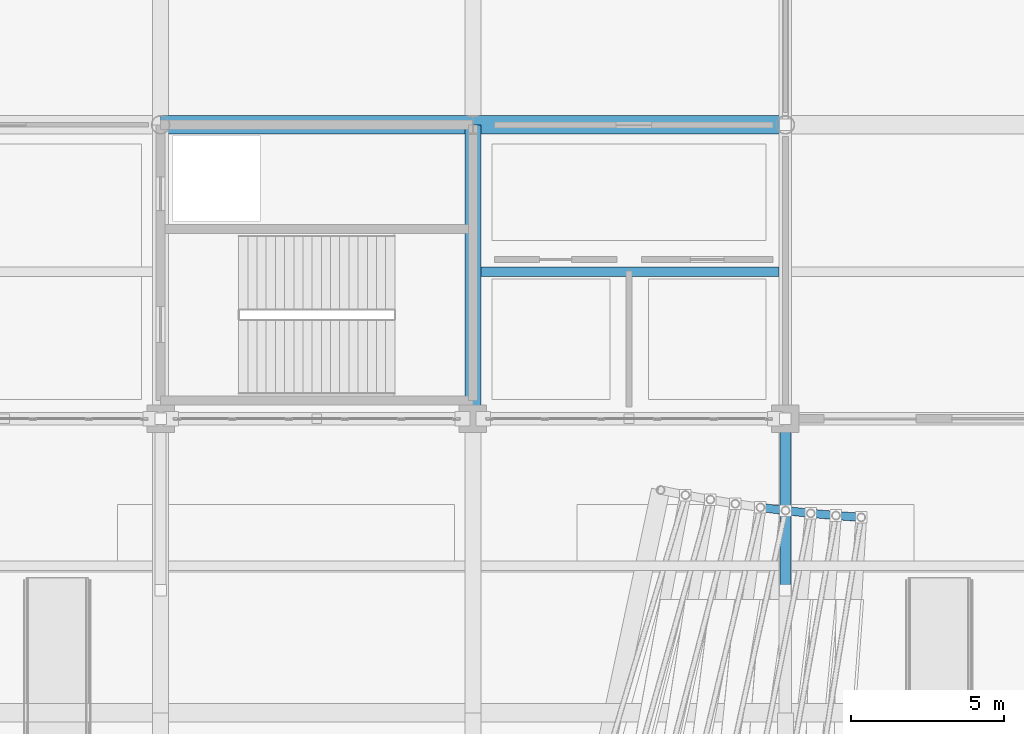
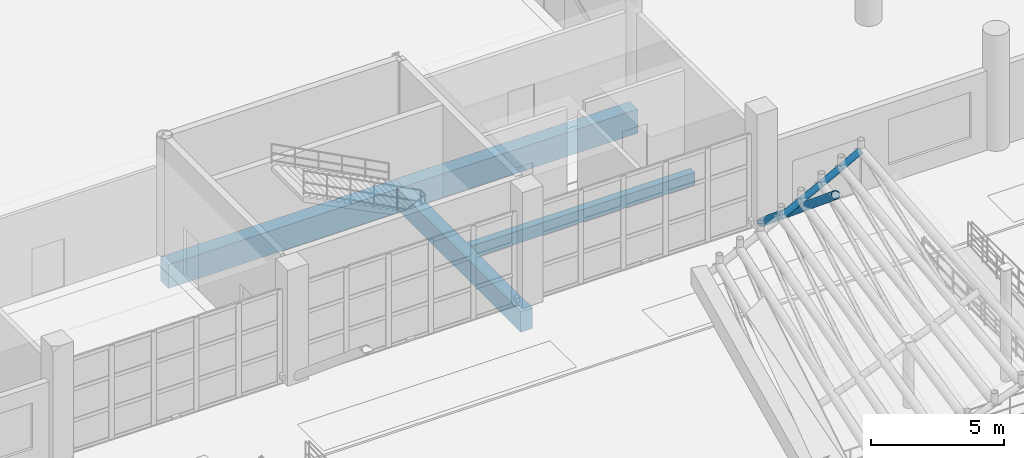
# One storey, part 51 of 124: 5 members, 4 beams.
"""IFC4 building model written with IfcOpenShell, lengths in metres."""

import ifcopenshell
import ifcopenshell.guid

model = None  # the IFC model being written
_history = None  # IfcOwnerHistory: only IFC2X3 demands one
_inside = {}  # id of a spatial element -> (the spatial element, [elements in it])
_under = {}  # id of a project, library or spatial element -> (it, [spatial elements below it])
_declared = {}  # id of a project -> (the project, [libraries it declares])
_typed = {}  # id of a type object -> (the type object, [elements of that type])
_made_of = {}  # id of a material, layer set ... -> (it, [elements and type objects made of it])


def new_model(schema):
    """Start an empty IFC model of exactly this schema.

    Asked for "IFC4X3", IfcOpenShell would pick the latest addendum, in which some entities
    have other attributes; the version numbers below select the first issue.
    IFC2X3 requires an IfcOwnerHistory on every rooted entity: one is made here for all.
    """
    global model, _history
    if schema == "IFC4X3":
        model = ifcopenshell.file(schema_version=(4, 3, 0, 0))
    else:
        model = ifcopenshell.file(schema=schema)
    _inside.clear()
    _under.clear()
    _declared.clear()
    _typed.clear()
    _made_of.clear()
    _history = None
    if model.schema == "IFC2X3":
        org = make("IfcOrganization", Name="unknown")
        user = make(
            "IfcPersonAndOrganization",
            ThePerson=make("IfcPerson", FamilyName="unknown"),
            TheOrganization=org,
        )
        app = make(
            "IfcApplication",
            ApplicationDeveloper=org,
            Version="unknown",
            ApplicationFullName="unknown",
            ApplicationIdentifier="unknown",
        )
        _history = make(
            "IfcOwnerHistory",
            OwningUser=user,
            OwningApplication=app,
            ChangeAction="ADDED",
            CreationDate=0,
        )
    return model


def make(cls, **values):
    """One entity of the class cls with the attributes given. An attribute that is None is left unset."""
    return model.create_entity(
        cls, **{name: value for name, value in values.items() if value is not None}
    )


def rooted(cls, **values):
    """An entity with a GlobalId (a new one), such as an element, a storey or a relation."""
    return make(cls, GlobalId=ifcopenshell.guid.new(), OwnerHistory=_history, **values)


def si_unit(unit_type, name, prefix=None):
    """IfcSIUnit, for example si_unit("LENGTHUNIT", "METRE", prefix="MILLI")."""
    return make("IfcSIUnit", UnitType=unit_type, Prefix=prefix, Name=name)


def assignment(units):
    """IfcUnitAssignment: the units of a project."""
    return None if units is None else make("IfcUnitAssignment", Units=units)


def point(xyz):
    """IfcCartesianPoint."""
    return None if xyz is None else make("IfcCartesianPoint", Coordinates=xyz)


def direction(xyz):
    """IfcDirection."""
    return None if xyz is None else make("IfcDirection", DirectionRatios=xyz)


def frame(location, z_axis=None, x_axis=None):
    """IfcAxis2Placement3D, a coordinate frame: its origin and axes. An axis left out is left unset."""
    return make(
        "IfcAxis2Placement3D",
        Location=point(location),
        Axis=direction(z_axis),
        RefDirection=direction(x_axis),
    )


def frame_2d(location, x_axis=None):
    """IfcAxis2Placement2D, a coordinate frame in the plane: its origin and x axis."""
    return make(
        "IfcAxis2Placement2D", Location=point(location), RefDirection=direction(x_axis)
    )


def origin():
    """The frame at (0, 0, 0) with its axes left unset."""
    return frame((0.0, 0.0, 0.0))


def origin_2d():
    """The frame at (0, 0) in the plane with its x axis left unset."""
    return frame_2d((0.0, 0.0))


def place(relative_to, where):
    """IfcLocalPlacement: puts the frame where relative to a parent placement (None: the world)."""
    return make(
        "IfcLocalPlacement", PlacementRelTo=relative_to, RelativePlacement=where
    )


def context(
    kind, dimensions, precision=None, world=None, true_north=None, identifier=None
):
    """IfcGeometricRepresentationContext, for example the 3D "Model" context."""
    return make(
        "IfcGeometricRepresentationContext",
        ContextIdentifier=identifier,
        ContextType=kind,
        CoordinateSpaceDimension=dimensions,
        Precision=precision,
        WorldCoordinateSystem=world,
        TrueNorth=true_north,
    )


def subcontext(parent, identifier, kind, view, scale=None):
    """IfcGeometricRepresentationSubContext, for example "Body" below "Model"."""
    return make(
        "IfcGeometricRepresentationSubContext",
        ContextIdentifier=identifier,
        ContextType=kind,
        ParentContext=parent,
        TargetScale=scale,
        TargetView=view,
    )


def project(units=None, contexts=None):
    """IfcProject with its units and contexts."""
    return rooted(
        "IfcProject",
        Name="project",
        RepresentationContexts=contexts,
        UnitsInContext=assignment(units),
    )


def spatial(cls, under=None, at=None, **own):
    """A site, building, storey or space (cls), placed at a placement, below another one or the project."""
    s = rooted(cls, ObjectPlacement=at, **own)
    if under is not None:
        _under.setdefault(under.id(), (under, []))[1].append(s)
    return s


def profile(cls, at=None, kind="AREA", **sizes):
    """A parametric profile (cls). Its sizes go by their IFC names, for example OverallWidth=200.0."""
    return make(cls, ProfileType=kind, Position=at, **sizes)


def rectangle(**sizes):
    """IfcRectangleProfileDef."""
    return profile("IfcRectangleProfileDef", **sizes)


def hollow_circle(**sizes):
    """IfcCircleHollowProfileDef."""
    return profile("IfcCircleHollowProfileDef", **sizes)


def extrude(swept, where, along, depth):
    """IfcExtrudedAreaSolid: the profile swept, set in the frame where, extruded along a direction by depth."""
    return make(
        "IfcExtrudedAreaSolid",
        SweptArea=swept,
        Position=where,
        ExtrudedDirection=direction(along),
        Depth=depth,
    )


def shape(context_of_items, identifier, shape_type, items):
    """IfcShapeRepresentation: the items that make up one representation, for example the "Body"."""
    return make(
        "IfcShapeRepresentation",
        ContextOfItems=context_of_items,
        RepresentationIdentifier=identifier,
        RepresentationType=shape_type,
        Items=items,
    )


def material(Name=None, Category=None):
    """IfcMaterial."""
    return make("IfcMaterial", Name=Name, Category=Category)


def material_profile(
    of_material, cross_section, Name=None, Category=None, Priority=None
):
    """IfcMaterialProfile: a cross section and its material."""
    return make(
        "IfcMaterialProfile",
        Name=Name,
        Material=of_material,
        Profile=cross_section,
        Priority=Priority,
        Category=Category,
    )


def profile_set(profiles, Name=None, composite=None):
    """IfcMaterialProfileSet."""
    return make(
        "IfcMaterialProfileSet",
        Name=Name,
        MaterialProfiles=profiles,
        CompositeProfile=composite,
    )


def made_of(thing, what):
    """Note that an element or type object is made of a material, layer set ...; save() writes the relation."""
    if what is not None:
        _made_of.setdefault(what.id(), (what, []))[1].append(thing)
    return thing


def type_object(cls, material=None, **own):
    """A type object (cls), such as IfcWallType, which elements share."""
    return made_of(rooted(cls, **own), material)


def element(
    cls,
    number,
    at=None,
    inside=None,
    cuts=None,
    type_object=None,
    material=None,
    context=None,
    identifier="Body",
    shape_type=None,
    held_by="IfcProductDefinitionShape",
    body=None,
    shapes=None,
    **own,
):
    """One element of the class cls, such as IfcWall. Its Tag is "e" and its number.

    at: its placement. inside: the storey or other place that contains it. cuts: it is an
    opening in that element (IfcRelVoidsElement). A single representation is given by context,
    identifier, shape_type and body (its items); several are given by shapes. held_by: the class
    of the entity that holds the representations. save() writes the other relations.
    """
    e = rooted(cls, Tag="e%d" % number, ObjectPlacement=at, **own)
    if body is not None:
        shapes = [shape(context, identifier, shape_type, body)]
    if shapes is not None:
        e.Representation = make(held_by, Representations=shapes)
    if inside is not None:
        _inside.setdefault(inside.id(), (inside, []))[1].append(e)
    if cuts is not None:
        rooted(
            "IfcRelVoidsElement", RelatingBuildingElement=cuts, RelatedOpeningElement=e
        )
    if type_object is not None:
        _typed.setdefault(type_object.id(), (type_object, []))[1].append(e)
    return made_of(e, material)


def aggregate(whole, parts):
    """IfcRelAggregates: a whole, such as a stair, and the parts it consists of."""
    return rooted("IfcRelAggregates", RelatingObject=whole, RelatedObjects=parts)


def save(model, path):
    """Write the relations noted so far, then the file.

    IfcRelAggregates (storeys below a building ...), IfcRelContainedInSpatialStructure (elements
    in a storey), IfcRelDefinesByType, IfcRelAssociatesMaterial and IfcRelDeclares: one each for
    every whole, place, type object, material and project.
    """
    for whole, parts in _under.values():
        aggregate(whole, parts)
    for where, things in _inside.values():
        rooted(
            "IfcRelContainedInSpatialStructure",
            RelatedElements=things,
            RelatingStructure=where,
        )
    for kind, things in _typed.values():
        rooted("IfcRelDefinesByType", RelatedObjects=things, RelatingType=kind)
    for what, things in _made_of.values():
        rooted("IfcRelAssociatesMaterial", RelatedObjects=things, RelatingMaterial=what)
    for by, libraries in _declared.values():
        rooted("IfcRelDeclares", RelatingContext=by, RelatedDefinitions=libraries)
    model.write(path)


model = new_model("IFC4")

# Units and contexts
model_context = context("Model", 3, precision=1e-05, world=origin(), true_north=direction((0.0, 1.0)))
body_context = subcontext(model_context, "Body", "Model", "MODEL_VIEW")
ifc_project = project(units=[si_unit("LENGTHUNIT", "METRE"), si_unit("AREAUNIT", "SQUARE_METRE"), si_unit("VOLUMEUNIT", "CUBIC_METRE"), si_unit("PLANEANGLEUNIT", "RADIAN"), si_unit("MASSUNIT", "GRAM", prefix="KILO")], contexts=[model_context])

# Site, building, storey
site_placement = place(None, origin())
site = spatial("IfcSite", under=ifc_project, at=site_placement, CompositionType="ELEMENT")
building_placement = place(site_placement, origin())
building = spatial("IfcBuilding", under=site, at=building_placement, Name="Brelvane Convention Centre", CompositionType="ELEMENT")
storey_placement = place(building_placement, origin())
storey = spatial("IfcBuildingStorey", under=building, at=storey_placement, Name="L00", CompositionType="ELEMENT", Elevation=0.0)

# Beams
ifc_material_1 = material(Name="Concrete M50", Category="concrete")
ifc_material_profile_1 = material_profile(ifc_material_1, rectangle(XDim=0.60009765625, YDim=1.10009765625, at=origin_2d()), Name="RC 600x1100")
ifc_profile_set_1 = profile_set([ifc_material_profile_1], Name="Concrete M50")
beam_type_1 = type_object("IfcBeamType", Name="RC Beam B-RC2 (RC 600x1100)", PredefinedType="BEAM", material=ifc_profile_set_1)
beam_1_placement = place(storey_placement, frame((122.39990234375, 28.800048828125, -0.949951171875), z_axis=(1.0, 0.0, 0.0), x_axis=(0.0, 1.0, 0.0)))
element("IfcBeam", 1, at=beam_1_placement, inside=storey, type_object=beam_type_1, Name="L00 Beam 13-14/D", PredefinedType="BEAM", context=body_context, shape_type="SweptSolid", body=[
    extrude(rectangle(XDim=0.60009765625, YDim=1.10009765625, at=origin_2d()), origin(), (0.0, 0.0, 1.0), 10.2001953125),
])
beam_2_placement = place(storey_placement, frame((132.60009765625, 28.800048828125, -0.949951171875), z_axis=(1.0, 0.0, 0.0), x_axis=(0.0, 1.0, 0.0)))
element("IfcBeam", 2, at=beam_2_placement, inside=storey, type_object=beam_type_1, Name="L00 Beam 14-15/D", PredefinedType="BEAM", context=body_context, shape_type="SweptSolid", body=[
    extrude(rectangle(XDim=0.60009765625, YDim=1.10009765625, at=origin_2d()), origin(), (0.0, 0.0, 1.0), 10.199951171875),
])
ifc_material_2 = material(Name="Concrete M50", Category="concrete")
ifc_material_profile_2 = material_profile(ifc_material_2, rectangle(XDim=0.52001953125, YDim=0.949951171875, at=origin_2d()), Name="RC 520x950")
ifc_profile_set_2 = profile_set([ifc_material_profile_2], Name="Concrete M50")
beam_type_2 = type_object("IfcBeamType", Name="RC Beam B-RC9 (RC 520x950)", PredefinedType="BEAM", material=ifc_profile_set_2)
beam_3_placement = place(storey_placement, frame((132.60009765625, 19.199951171875, -0.875), z_axis=(0.0, 1.0, 0.0), x_axis=(-1.0, 0.0, 0.0)))
element("IfcBeam", 3, at=beam_3_placement, inside=storey, type_object=beam_type_2, Name="L00 Girder 14/C-D", PredefinedType="BEAM", context=body_context, shape_type="SweptSolid", body=[
    extrude(rectangle(XDim=0.52001953125, YDim=0.949951171875, at=origin_2d()), origin(), (0.0, 0.0, 1.0), 9.60009765625),
])
ifc_material_3 = material(Name="Concrete M40", Category="concrete")
ifc_material_profile_3 = material_profile(ifc_material_3, rectangle(XDim=0.320068359375, YDim=0.580078125, at=origin_2d()), Name="RC 320x580")
ifc_profile_set_3 = profile_set([ifc_material_profile_3], Name="Concrete M40")
beam_type_3 = type_object("IfcBeamType", Name="RC Joist J-RC3 (RC 320x580)", PredefinedType="JOIST", material=ifc_profile_set_3)
beam_4_placement = place(storey_placement, frame((132.860107421875, 24.0, -0.68994140625), z_axis=(1.0, 0.0, 0.0), x_axis=(0.0, 1.0, 0.0)))
element("IfcBeam", 4, at=beam_4_placement, inside=storey, type_object=beam_type_3, Name="L00 Secondary Joist 14-15/CD", PredefinedType="JOIST", context=body_context, shape_type="SweptSolid", body=[
    extrude(rectangle(XDim=0.320068359375, YDim=0.580078125, at=origin_2d()), origin(), (0.0, 0.0, 1.0), 9.739990234375),
])

# Members
ifc_material_4 = material(Name="Steel E450 (450 MPa)", Category="steel")
ifc_material_profile_4 = material_profile(ifc_material_4, hollow_circle(Radius=0.136474609375, WallThickness=0.012451171875, at=origin_2d()), Name="CHS 273.0x12.5")
ifc_profile_set_4 = profile_set([ifc_material_profile_4], Name="Steel E450 (450 MPa)")
member_type_1 = type_object("IfcMemberType", Name="Steel Chord CN-CH1 (CHS 273.0x12.5)", PredefinedType="CHORD", material=ifc_profile_set_4)
member_1_placement = place(storey_placement, frame((145.277099609375, 15.983154296875, 4.439208984375), z_axis=(-0.845465619613, 0.059550404696, -0.530699194791), x_axis=(-0.070260969912, -0.997528644254, 0.0)))
element("IfcMember", 5, at=member_1_placement, inside=storey, type_object=member_type_1, Name="Boulevard Canopy Arc Chord IN-24", PredefinedType="CHORD", context=body_context, shape_type="SweptSolid", body=[
    extrude(hollow_circle(Radius=0.136474609375, WallThickness=0.012451171875, at=origin_2d()), origin(), (0.0, 0.0, 1.0), 0.975830078125),
])
member_2_placement = place(storey_placement, frame((144.4521484375, 16.041259765625, 3.92138671875), z_axis=(-0.842078167211, 0.075123155996, -0.534098185486), x_axis=(-0.088858718511, -0.996044240054, 0.0)))
element("IfcMember", 6, at=member_2_placement, inside=storey, type_object=member_type_1, Name="Boulevard Canopy Arc Chord IN-25", PredefinedType="CHORD", context=body_context, shape_type="SweptSolid", body=[
    extrude(hollow_circle(Radius=0.136474609375, WallThickness=0.012451171875, at=origin_2d()), origin(), (0.0, 0.0, 1.0), 0.978271484375),
])
member_3_placement = place(storey_placement, frame((143.62841796875, 16.11474609375, 3.39892578125), z_axis=(-0.838525119644, 0.090624448798, -0.537273517872), x_axis=(-0.107450298823, -0.994210457239, 0.0)))
element("IfcMember", 7, at=member_3_placement, inside=storey, type_object=member_type_1, Name="Boulevard Canopy Arc Chord IN-26", PredefinedType="CHORD", context=body_context, shape_type="SweptSolid", body=[
    extrude(hollow_circle(Radius=0.136474609375, WallThickness=0.012451171875, at=origin_2d()), origin(), (0.0, 0.0, 1.0), 0.980712890625),
])
member_4_placement = place(storey_placement, frame((142.80615234375, 16.20361328125, 2.8720703125), z_axis=(-0.834628022821, 0.105539098393, -0.540608511062), x_axis=(-0.125451471826, -0.99209975719, 0.0)))
element("IfcMember", 8, at=member_4_placement, inside=storey, type_object=member_type_1, Name="Boulevard Canopy Arc Chord IN-27", PredefinedType="CHORD", context=body_context, shape_type="SweptSolid", body=[
    extrude(hollow_circle(Radius=0.136474609375, WallThickness=0.012451171875, at=origin_2d()), origin(), (0.0, 0.0, 1.0), 0.983154296875),
])
ifc_material_5 = material(Name="Steel E450 (450 MPa)", Category="steel")
ifc_material_profile_5 = material_profile(ifc_material_5, hollow_circle(Radius=0.177734375, WallThickness=0.01611328125, at=origin_2d()), Name="CHS 355.6x16.0")
ifc_profile_set_5 = profile_set([ifc_material_profile_5], Name="Steel E450 (450 MPa)")
member_type_2 = type_object("IfcMemberType", Name="Steel Strut HS-ST1 (CHS 355.6x16.0)", PredefinedType="STRUT", material=ifc_profile_set_5)
member_5_placement = place(storey_placement, frame((142.800048828125, 19.199951171875, 0.050048828125), z_axis=(0.0, -0.76934456422, 0.638834048486), x_axis=(1.0, 0.0, 0.0)))
element("IfcMember", 9, at=member_5_placement, inside=storey, type_object=member_type_2, Name="Hull Overhang Raked Strut L00 V1-15", PredefinedType="STRUT", context=body_context, shape_type="SweptSolid", body=[
    extrude(hollow_circle(Radius=0.177734375, WallThickness=0.01611328125, at=origin_2d()), origin(), (0.0, 0.0, 1.0), 7.27880859375),
])

save(model, "model.ifc")
